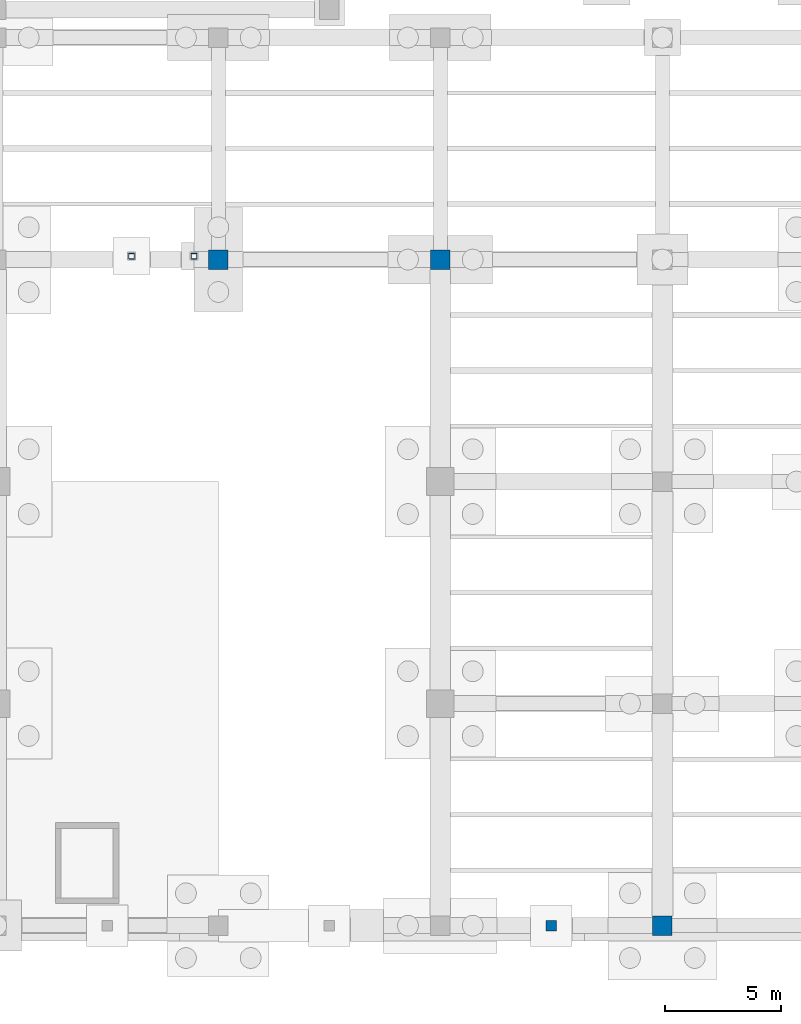
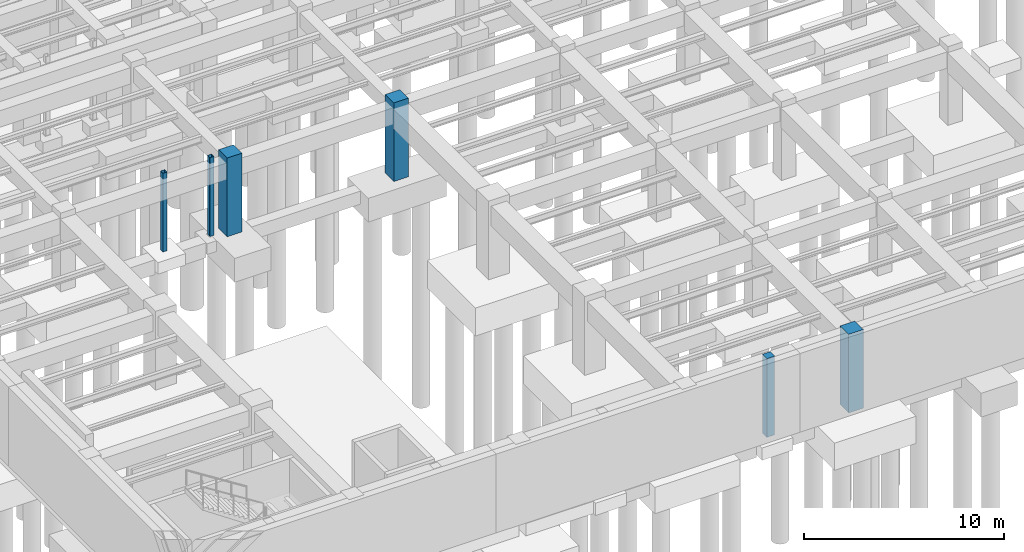
# One storey, part 13 of 56: 6 columns.
"""IFC4 building model written with IfcOpenShell, lengths in metres."""

from ifc_helpers import new_model, si_unit, direction, frame, origin, origin_2d, place, context, subcontext, project, spatial, rectangle, hollow_rectangle, extrude, material, material_profile, profile_set, type_object, element, save


model = new_model("IFC4")

# Units and contexts
model_context = context("Model", 3, precision=1e-05, world=origin(), true_north=direction((0.0, 1.0)))
body_context = subcontext(model_context, "Body", "Model", "MODEL_VIEW")
ifc_project = project(units=[si_unit("LENGTHUNIT", "METRE"), si_unit("AREAUNIT", "SQUARE_METRE"), si_unit("VOLUMEUNIT", "CUBIC_METRE"), si_unit("PLANEANGLEUNIT", "RADIAN"), si_unit("MASSUNIT", "GRAM", prefix="KILO")], contexts=[model_context])

# Site, building, storey
site_placement = place(None, origin())
site = spatial("IfcSite", under=ifc_project, at=site_placement, CompositionType="ELEMENT")
building_placement = place(site_placement, origin())
building = spatial("IfcBuilding", under=site, at=building_placement, Name="Mavantir Sound Aquarium", CompositionType="ELEMENT")
storey_placement = place(building_placement, frame((0.0, 0.0, -9.60009765625)))
storey = spatial("IfcBuildingStorey", under=building, at=storey_placement, Name="B2", CompositionType="ELEMENT", Elevation=-9.60009765625)

# Columns
ifc_material_1 = material(Name="Concrete C40/50", Category="concrete")
ifc_material_profile_1 = material_profile(ifc_material_1, rectangle(XDim=0.449951171875, YDim=0.449951171875, at=origin_2d()), Name="RC 450X450")
ifc_profile_set_1 = profile_set([ifc_material_profile_1], Name="Concrete C40/50")
column_type_1 = type_object("IfcColumnType", Name="COL-RC450-E", PredefinedType="PILASTER", material=ifc_profile_set_1)
column_1_placement = place(storey_placement, frame((33.60009765625, 0.0, 0.0), z_axis=(0.0, 0.0, 1.0), x_axis=(1.0, 0.0, 0.0)))
element("IfcColumn", 1, at=column_1_placement, inside=storey, type_object=column_type_1, Name="Postmodern facade pilaster B2.4", PredefinedType="PILASTER", context=body_context, shape_type="SweptSolid", body=[
    extrude(rectangle(XDim=0.449951171875, YDim=0.449951171875, at=origin_2d()), origin(), (0.0, 0.0, 1.0), 4.800048828125),
])
ifc_material_profile_2 = material_profile(ifc_material_1, rectangle(XDim=0.85009765625, YDim=0.85009765625, at=origin_2d()), Name="RC 850X850")
ifc_profile_set_2 = profile_set([ifc_material_profile_2], Name="Concrete C40/50")
column_type_2 = type_object("IfcColumnType", Name="COL-RC850-E", PredefinedType="COLUMN", material=ifc_profile_set_2)
column_2_placement = place(storey_placement, frame((38.39990234375, 0.0, 0.0), z_axis=(0.0, 0.0, 1.0), x_axis=(1.0, 0.0, 0.0)))
element("IfcColumn", 2, at=column_2_placement, inside=storey, type_object=column_type_2, Name="B2 column RC-C85 (V3)", PredefinedType="COLUMN", context=body_context, shape_type="SweptSolid", body=[
    extrude(rectangle(XDim=0.85009765625, YDim=0.85009765625, at=origin_2d()), origin(), (0.0, 0.0, 1.0), 4.800048828125),
])
ifc_material_profile_3 = material_profile(ifc_material_1, rectangle(XDim=0.85009765625, YDim=0.85009765625, at=origin_2d()), Name="RC 850X850")
ifc_profile_set_3 = profile_set([ifc_material_profile_3], Name="Concrete C40/50")
column_type_3 = type_object("IfcColumnType", Name="COL-RC850-I", PredefinedType="COLUMN", material=ifc_profile_set_3)
for number, where, z_axis, x_axis, name in (
    (3, (19.199951171875, 28.800048828125, 0.0), (0.0, 0.0, 1.0), (1.0, 0.0, 0.0), "B2 column RC-C85 (V3)"),
    (4, (28.800048828125, 28.800048828125, 0.0), (0.0, 0.0, 1.0), (1.0, 0.0, 0.0), "B2 column RC-C85 (V3)"),
):
    element("IfcColumn", number, at=place(storey_placement, frame(where, z_axis=z_axis, x_axis=x_axis)), inside=storey, type_object=column_type_3, Name=name, PredefinedType="COLUMN", context=body_context, shape_type="SweptSolid", body=[
        extrude(rectangle(XDim=0.85009765625, YDim=0.85009765625, at=origin_2d()), origin(), (0.0, 0.0, 1.0), 4.800048828125),
    ])
ifc_material_2 = material(Name="Hollow Structural Steel ASTM A500 GrC", Category="steel")
ifc_material_profile_4 = material_profile(ifc_material_2, hollow_rectangle(XDim=0.25, YDim=0.25, WallThickness=0.012451171875, InnerFilletRadius=0.012451171875, OuterFilletRadius=0.02490234375, at=origin_2d()), Name="SHS 250X250X12.5")
ifc_profile_set_4 = profile_set([ifc_material_profile_4], Name="Hollow Structural Steel ASTM A500 GrC")
column_type_4 = type_object("IfcColumnType", Name="COL-SHS250-E", PredefinedType="COLUMN", material=ifc_profile_set_4)
for number, where, z_axis, x_axis, name in (
    (5, (15.449951171875, 28.949951171875, 0.0), (0.0, 0.0, 1.0), (1.0, 0.0, 0.0), "Bridge support column 2.1 (B2)"),
    (6, (18.14990234375, 28.949951171875, 0.0), (0.0, 0.0, 1.0), (1.0, 0.0, 0.0), "Bridge support column 2.3 (B2)"),
):
    element("IfcColumn", number, at=place(storey_placement, frame(where, z_axis=z_axis, x_axis=x_axis)), inside=storey, type_object=column_type_4, Name=name, PredefinedType="COLUMN", context=body_context, shape_type="SweptSolid", body=[
        extrude(hollow_rectangle(XDim=0.25, YDim=0.25, WallThickness=0.012451171875, InnerFilletRadius=0.012451171875, OuterFilletRadius=0.02490234375, at=origin_2d()), origin(), (0.0, 0.0, 1.0), 4.800048828125),
    ])

save(model, "model.ifc")
